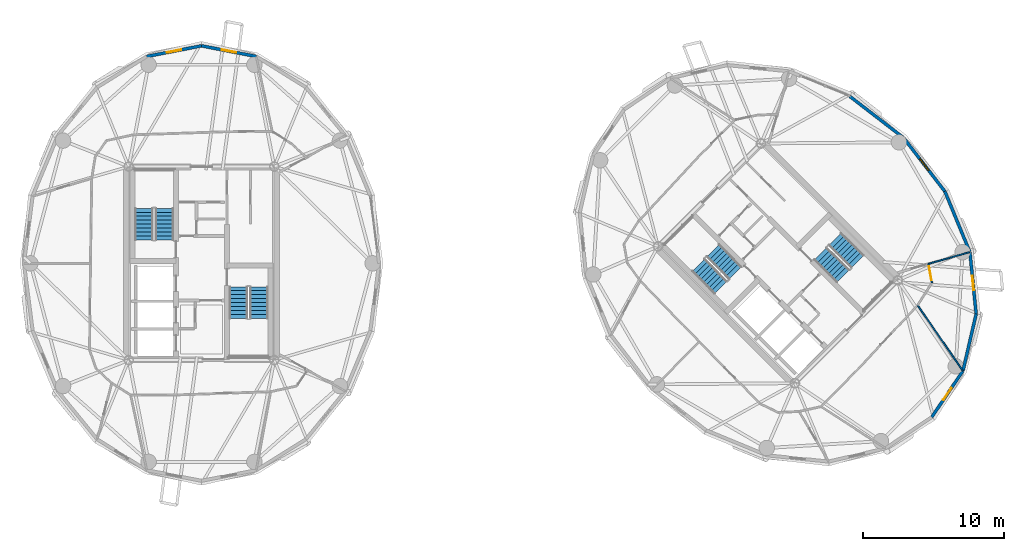
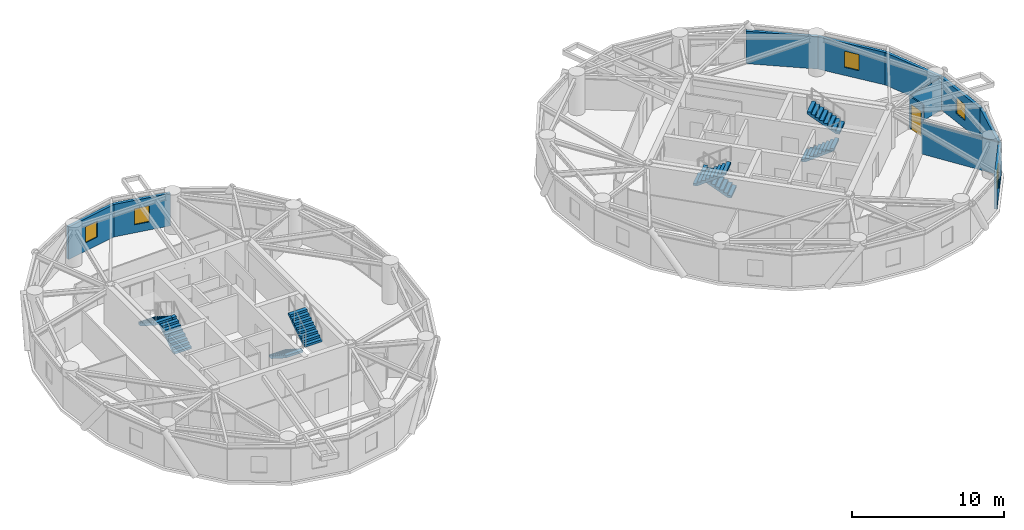
# One storey, part 13 of 15: 11 walls, 8 stair flights, 5 windows, 1 door, 6 openings, 4 elements without a shape of their own.
"""IFC4 building model written with IfcOpenShell, lengths in metres."""

from ifc_helpers import new_model, si_unit, direction, frame, frame_2d, origin, place, context, subcontext, project, spatial, polyline, rectangle, outline, extrude, source, transform, mapped, material, layer, layer_set, type_object, element, fill, aggregate, save


model = new_model("IFC4")

# Units and contexts
model_context = context("Model", 3, precision=1e-05, world=origin(), true_north=direction((0.0, 1.0)))
body_context = subcontext(model_context, "Body", "Model", "MODEL_VIEW")
ifc_project = project(units=[si_unit("LENGTHUNIT", "METRE"), si_unit("AREAUNIT", "SQUARE_METRE"), si_unit("VOLUMEUNIT", "CUBIC_METRE"), si_unit("PLANEANGLEUNIT", "RADIAN"), si_unit("MASSUNIT", "GRAM", prefix="KILO")], contexts=[model_context])

# Site, building, storey
site_placement = place(None, origin())
site = spatial("IfcSite", under=ifc_project, at=site_placement, CompositionType="ELEMENT")
building_placement = place(site_placement, origin())
building = spatial("IfcBuilding", under=site, at=building_placement, Name="Cununo Teusaquillo Station Towers", CompositionType="ELEMENT")
storey_placement = place(building_placement, frame((0.0, 0.0, 229.25)))
storey = spatial("IfcBuildingStorey", under=building, at=storey_placement, Name="L73", CompositionType="ELEMENT", Elevation=229.25)

# Wall, opening, window
ifc_material_1 = material(Name="Precast concrete C40/50", Category="concrete")
ifc_layer_1 = layer(ifc_material_1, 0.219970703125)
ifc_layer_set_1 = layer_set([ifc_layer_1], Name="Precast concrete C40/50")
wall_type_1 = type_object("IfcWallType", Name="WL-EXT-220", PredefinedType="SOLIDWALL", material=ifc_layer_set_1)
wall_1_placement = place(storey_placement, frame((16.5, 39.969970703125, 0.0), z_axis=(0.0, 0.0, 1.0), x_axis=(0.981700307484, -0.190432419211, 0.0)))
wall_1 = element("IfcWall", 1, at=wall_1_placement, inside=storey, type_object=wall_type_1, Name="L73 Tower A Exterior Facade Wall C04", PredefinedType="SOLIDWALL", context=body_context, shape_type="SweptSolid", body=[
    extrude(rectangle(XDim=3.9755859375, YDim=0.219970703125, at=frame_2d((1.98779296875, 0.0))), origin(), (0.0, 0.0, 1.0), 2.612060546875),
])
shared_shape_1 = source(origin(), body_context, "Body", "SweptSolid", [
    extrude(rectangle(XDim=1.050048828125, YDim=1.300048828125, at=frame_2d((0.52490234375, 0.64990234375))), frame((0.0, 0.119873046875, 0.0), z_axis=(0.0, -1.0, 0.0), x_axis=(1.0, 0.0, 0.0)), (0.0, 0.0, 1.0), 0.239990234375),
])
opening_1_placement = place(wall_1_placement, frame((1.462890625, 0.0, 0.64990234375)))
opening_1 = element("IfcOpeningElement", 2, at=opening_1_placement, cuts=wall_1, Name="Opening WN-04", PredefinedType="OPENING", context=body_context, shape_type="MappedRepresentation", body=[
    mapped(shared_shape_1, transform((0.0, 0.0, 0.0), x_axis=(1.0, 0.0, 0.0), y_axis=(0.0, 1.0, 0.0), z_axis=(0.0, 0.0, 1.0), scale=1.0)),
])
ifc_material_2 = material(Name="Operable acoustic tinted low-E double glazing", Category="glass")
window_type = type_object("IfcWindowType", Name="WIN-BAL-1050", PartitioningType="SINGLE_PANEL", PredefinedType="WINDOW", material=ifc_material_2)
shared_shape_2 = source(origin(), body_context, "Body", "SweptSolid", [
    extrude(rectangle(XDim=1.050048828125, YDim=1.300048828125, at=frame_2d((0.52490234375, 0.64990234375))), frame((0.0, 0.030029296875, 0.0), z_axis=(0.0, -1.0, 0.0), x_axis=(1.0, 0.0, 0.0)), (0.0, 0.0, 1.0), 0.06005859375),
])
window_1_placement = place(opening_1_placement, origin())
window_1 = element("IfcWindow", 3, at=window_1_placement, inside=storey, type_object=window_type, Name="L73 Tower A Facade Window C04", OverallHeight=1.300048828125, OverallWidth=1.050048828125, PartitioningType="SINGLE_PANEL", PredefinedType="WINDOW", context=body_context, shape_type="MappedRepresentation", body=[
    mapped(shared_shape_2, transform((0.0, 0.0, 0.0), x_axis=(1.0, 0.0, 0.0), y_axis=(0.0, 1.0, 0.0), z_axis=(0.0, 0.0, 1.0), scale=1.0)),
])
fill(opening_1, window_1)

wall_2_placement = place(storey_placement, frame((12.59716796875, 39.212890625, 0.0), z_axis=(0.0, 0.0, 1.0), x_axis=(0.981700307484, 0.190432419211, 0.0)))
wall_2 = element("IfcWall", 4, at=wall_2_placement, inside=storey, type_object=wall_type_1, Name="L73 Tower A Exterior Facade Wall C05", PredefinedType="SOLIDWALL", context=body_context, shape_type="SweptSolid", body=[
    extrude(rectangle(XDim=3.9755859375, YDim=0.219970703125, at=frame_2d((1.98779296875, 0.0))), origin(), (0.0, 0.0, 1.0), 2.612060546875),
])
opening_2_placement = place(wall_2_placement, frame((1.462890625, 0.0, 0.64990234375)))
opening_2 = element("IfcOpeningElement", 5, at=opening_2_placement, cuts=wall_2, Name="Opening WN-04", PredefinedType="OPENING", context=body_context, shape_type="MappedRepresentation", body=[
    mapped(shared_shape_1, transform((0.0, 0.0, 0.0), x_axis=(1.0, 0.0, 0.0), y_axis=(0.0, 1.0, 0.0), z_axis=(0.0, 0.0, 1.0), scale=1.0)),
])
window_2_placement = place(opening_2_placement, origin())
window_2 = element("IfcWindow", 6, at=window_2_placement, inside=storey, type_object=window_type, Name="L73 Tower A Facade Window C05", OverallHeight=1.300048828125, OverallWidth=1.050048828125, PartitioningType="SINGLE_PANEL", PredefinedType="WINDOW", context=body_context, shape_type="MappedRepresentation", body=[
    mapped(shared_shape_2, transform((0.0, 0.0, 0.0), x_axis=(1.0, 0.0, 0.0), y_axis=(0.0, 1.0, 0.0), z_axis=(0.0, 0.0, 1.0), scale=1.0)),
])
fill(opening_2, window_2)

# Wall
wall_3_placement = place(storey_placement, frame((62.61328125, 36.373779296875, 0.0), z_axis=(0.0, 0.0, 1.0), x_axis=(0.791998462147, -0.610523083886, 0.0)))
element("IfcWall", 7, at=wall_3_placement, inside=storey, type_object=wall_type_1, Name="L73 Tower B Exterior Facade Wall C00", PredefinedType="SOLIDWALL", context=body_context, shape_type="SweptSolid", body=[
    extrude(rectangle(XDim=4.8203125, YDim=0.219970703125, at=frame_2d((2.41015625, 0.0))), origin(), (0.0, 0.0, 1.0), 2.612060546875),
])

# Wall, opening, window
wall_4_placement = place(storey_placement, frame((70.663330078125, 16.856201171875, 0.0), z_axis=(0.0, 0.0, 1.0), x_axis=(-0.559495003079, -0.828833723692, 0.0)))
wall_4 = element("IfcWall", 8, at=wall_4_placement, inside=storey, type_object=wall_type_1, Name="L73 Tower B Exterior Facade Wall C15", PredefinedType="SOLIDWALL", context=body_context, shape_type="SweptSolid", body=[
    extrude(rectangle(XDim=3.9755859375, YDim=0.219970703125, at=frame_2d((1.98779296875, 0.0))), origin(), (0.0, 0.0, 1.0), 2.612060546875),
])
opening_3_placement = place(wall_4_placement, frame((1.462890625, 0.0, 0.64990234375)))
opening_3 = element("IfcOpeningElement", 9, at=opening_3_placement, cuts=wall_4, Name="Opening WN-04", PredefinedType="OPENING", context=body_context, shape_type="MappedRepresentation", body=[
    mapped(shared_shape_1, transform((0.0, 0.0, 0.0), x_axis=(1.0, 0.0, 0.0), y_axis=(0.0, 1.0, 0.0), z_axis=(0.0, 0.0, 1.0), scale=1.0)),
])
window_3_placement = place(opening_3_placement, origin())
window_3 = element("IfcWindow", 10, at=window_3_placement, inside=storey, type_object=window_type, Name="L73 Tower B Facade Window C15", OverallHeight=1.300048828125, OverallWidth=1.050048828125, PartitioningType="SINGLE_PANEL", PredefinedType="WINDOW", context=body_context, shape_type="MappedRepresentation", body=[
    mapped(shared_shape_2, transform((0.0, 0.0, 0.0), x_axis=(1.0, 0.0, 0.0), y_axis=(0.0, 1.0, 0.0), z_axis=(0.0, 0.0, 1.0), scale=1.0)),
])
fill(opening_3, window_3)

# Wall
wall_5_placement = place(storey_placement, frame((71.59912109375, 20.899658203125, 0.0), z_axis=(0.0, 0.0, 1.0), x_axis=(-0.225473813158, -0.974249228678, 0.0)))
element("IfcWall", 11, at=wall_5_placement, inside=storey, type_object=wall_type_1, Name="L73 Tower B Exterior Facade Wall C16", PredefinedType="SOLIDWALL", context=body_context, shape_type="SweptSolid", body=[
    extrude(rectangle(XDim=4.150390625, YDim=0.219970703125, at=frame_2d((2.0751953125, 0.0))), origin(), (0.0, 0.0, 1.0), 2.612060546875),
])

# Wall, opening, window
wall_6_placement = place(storey_placement, frame((71.15478515625, 25.29541015625, 0.0), z_axis=(0.0, 0.0, 1.0), x_axis=(0.100570534541, -0.994929930991, 0.0)))
wall_6 = element("IfcWall", 12, at=wall_6_placement, inside=storey, type_object=wall_type_1, Name="L73 Tower B Exterior Facade Wall C17", PredefinedType="SOLIDWALL", context=body_context, shape_type="SweptSolid", body=[
    extrude(rectangle(XDim=4.418212890625, YDim=0.219970703125, at=frame_2d((2.208984375, 0.0))), origin(), (0.0, 0.0, 1.0), 2.612060546875),
])
opening_4_placement = place(wall_6_placement, frame((1.68408203125, 0.0, 0.64990234375)))
opening_4 = element("IfcOpeningElement", 13, at=opening_4_placement, cuts=wall_6, Name="Opening WN-04", PredefinedType="OPENING", context=body_context, shape_type="MappedRepresentation", body=[
    mapped(shared_shape_1, transform((0.0, 0.0, 0.0), x_axis=(1.0, 0.0, 0.0), y_axis=(0.0, 1.0, 0.0), z_axis=(0.0, 0.0, 1.0), scale=1.0)),
])
window_4_placement = place(opening_4_placement, origin())
window_4 = element("IfcWindow", 14, at=window_4_placement, inside=storey, type_object=window_type, Name="L73 Tower B Facade Window C17", OverallHeight=1.300048828125, OverallWidth=1.050048828125, PartitioningType="SINGLE_PANEL", PredefinedType="WINDOW", context=body_context, shape_type="MappedRepresentation", body=[
    mapped(shared_shape_2, transform((0.0, 0.0, 0.0), x_axis=(1.0, 0.0, 0.0), y_axis=(0.0, 1.0, 0.0), z_axis=(0.0, 0.0, 1.0), scale=1.0)),
])
fill(opening_4, window_4)

# Wall
wall_7_placement = place(storey_placement, frame((69.373779296875, 29.61328125, 0.0), z_axis=(0.0, 0.0, 1.0), x_axis=(0.381309704956, -0.924447353237, 0.0)))
element("IfcWall", 15, at=wall_7_placement, inside=storey, type_object=wall_type_1, Name="L73 Tower B Exterior Facade Wall C18", PredefinedType="SOLIDWALL", context=body_context, shape_type="SweptSolid", body=[
    extrude(rectangle(XDim=4.670654296875, YDim=0.219970703125, at=frame_2d((2.33544921875, 0.0))), origin(), (0.0, 0.0, 1.0), 2.612060546875),
])

# Wall, opening, window
wall_8_placement = place(storey_placement, frame((66.430908203125, 33.430908203125, 0.0), z_axis=(0.0, 0.0, 1.0), x_axis=(0.610523083886, -0.791998462147, 0.0)))
wall_8 = element("IfcWall", 16, at=wall_8_placement, inside=storey, type_object=wall_type_1, Name="L73 Tower B Exterior Facade Wall C19", PredefinedType="SOLIDWALL", context=body_context, shape_type="SweptSolid", body=[
    extrude(rectangle(XDim=4.8203125, YDim=0.219970703125, at=frame_2d((2.41015625, 0.0))), origin(), (0.0, 0.0, 1.0), 2.612060546875),
])
opening_5_placement = place(wall_8_placement, frame((1.885009765625, 0.0, 0.64990234375)))
opening_5 = element("IfcOpeningElement", 17, at=opening_5_placement, cuts=wall_8, Name="Opening WN-04", PredefinedType="OPENING", context=body_context, shape_type="MappedRepresentation", body=[
    mapped(shared_shape_1, transform((0.0, 0.0, 0.0), x_axis=(1.0, 0.0, 0.0), y_axis=(0.0, 1.0, 0.0), z_axis=(0.0, 0.0, 1.0), scale=1.0)),
])
window_5_placement = place(opening_5_placement, origin())
window_5 = element("IfcWindow", 18, at=window_5_placement, inside=storey, type_object=window_type, Name="L73 Tower B Facade Window C19", OverallHeight=1.300048828125, OverallWidth=1.050048828125, PartitioningType="SINGLE_PANEL", PredefinedType="WINDOW", context=body_context, shape_type="MappedRepresentation", body=[
    mapped(shared_shape_2, transform((0.0, 0.0, 0.0), x_axis=(1.0, 0.0, 0.0), y_axis=(0.0, 1.0, 0.0), z_axis=(0.0, 0.0, 1.0), scale=1.0)),
])
fill(opening_5, window_5)

# Wall, opening, door
ifc_material_3 = material(Name="Fire-rated gypsum plasterboard partition assembly", Category="gypsum")
ifc_layer_2 = layer(ifc_material_3, 0.10009765625)
ifc_layer_set_2 = layer_set([ifc_layer_2], Name="Fire-rated gypsum plasterboard partition assembly")
wall_type_2 = type_object("IfcWallType", Name="WL-PART-100", PredefinedType="MOVABLE", material=ifc_layer_set_2)
wall_9_placement = place(storey_placement, frame((68.45556640625, 23.109619140625, 0.0), z_axis=(0.0, 0.0, 1.0), x_axis=(-0.1772522795, 0.984165448191, 0.0)))
wall_9 = element("IfcWall", 19, at=wall_9_placement, inside=storey, type_object=wall_type_2, Name="L73 Tower B Corridor Ring Wall C17", PredefinedType="MOVABLE", context=body_context, shape_type="SweptSolid", body=[
    extrude(rectangle(XDim=1.381591796875, YDim=0.10009765625, at=frame_2d((0.69091796875, 0.0))), origin(), (0.0, 0.0, 1.0), 2.612060546875),
])
shared_shape_3 = source(origin(), body_context, "Body", "SweptSolid", [
    extrude(rectangle(XDim=1.0, YDim=2.014892578125, at=frame_2d((0.5, 1.00732421875))), frame((0.0, 0.06005859375, 0.0), z_axis=(0.0, -1.0, 0.0), x_axis=(1.0, 0.0, 0.0)), (0.0, 0.0, 1.0), 0.1201171875),
])
opening_6_placement = place(wall_9_placement, frame((0.19091796875, 0.0, 0.0)))
opening_6 = element("IfcOpeningElement", 20, at=opening_6_placement, cuts=wall_9, Name="Opening D-AC1", PredefinedType="OPENING", context=body_context, shape_type="MappedRepresentation", body=[
    mapped(shared_shape_3, transform((0.0, 0.0, 0.0), x_axis=(1.0, 0.0, 0.0), y_axis=(0.0, 1.0, 0.0), z_axis=(0.0, 0.0, 1.0), scale=1.0)),
])
ifc_material_4 = material(Name="Acoustic solid-core hardwood leaf assembly", Category="wood")
door_type = type_object("IfcDoorType", Name="DR-ACC-1000", OperationType="NOTDEFINED", PredefinedType="DOOR", material=ifc_material_4)
shared_shape_4 = source(origin(), body_context, "Body", "SweptSolid", [
    extrude(rectangle(XDim=1.0, YDim=2.014892578125, at=frame_2d((0.5, 1.00732421875))), frame((0.0, 0.02490234375, 0.0), z_axis=(0.0, -1.0, 0.0), x_axis=(1.0, 0.0, 0.0)), (0.0, 0.0, 1.0), 0.050048828125),
])
door_placement = place(opening_6_placement, origin())
door = element("IfcDoor", 21, at=door_placement, inside=storey, type_object=door_type, Name="L73 Tower B Public Accessible Restroom WC Entrance Door", OperationType="SINGLE_SWING_LEFT", OverallHeight=2.014892578125, OverallWidth=1.0, PredefinedType="DOOR", context=body_context, shape_type="MappedRepresentation", body=[
    mapped(shared_shape_4, transform((0.0, 0.0, 0.0), x_axis=(1.0, 0.0, 0.0), y_axis=(0.0, 1.0, 0.0), z_axis=(0.0, 0.0, 1.0), scale=1.0)),
])
fill(opening_6, door)

# Walls
wall_10_placement = place(storey_placement, frame((67.4345703125, 21.521484375, 0.0), z_axis=(0.0, 0.0, 1.0), x_axis=(0.567700677576, -0.823235045828, 0.0)))
element("IfcWall", 22, at=wall_10_placement, inside=storey, type_object=wall_type_2, Name="L73 Tower B Radial Suite Partition R05", PredefinedType="MOVABLE", context=body_context, shape_type="SweptSolid", body=[
    extrude(rectangle(XDim=5.656005859375, YDim=0.10009765625, at=frame_2d((2.828125, 0.0))), origin(), (0.0, 0.0, 1.0), 2.612060546875),
])
wall_11_placement = place(storey_placement, frame((68.210693359375, 24.46923828125, 0.0), z_axis=(0.0, 0.0, 1.0), x_axis=(0.962605107736, 0.270908483735, 0.0)))
element("IfcWall", 23, at=wall_11_placement, inside=storey, type_object=wall_type_2, Name="L73 Tower B Radial Suite Partition R06", PredefinedType="MOVABLE", context=body_context, shape_type="SweptSolid", body=[
    extrude(rectangle(XDim=3.037841796875, YDim=0.10009765625, at=frame_2d((1.51904296875, 0.0))), origin(), (0.0, 0.0, 1.0), 2.612060546875),
])

# Stair, stair flights
ifc_material_5 = material(Name="Concrete C50/60", Category="concrete")
stair_type = type_object("IfcStairType", Name="ST-TWR-1300", PredefinedType="HALF_TURN_STAIR", material=ifc_material_5)
stair_1_placement = place(storey_placement, origin())
stair_1 = element("IfcStair", 24, at=stair_1_placement, inside=storey, type_object=stair_type, Name="L73 Tower A Protected Core Exit Stair 1", PredefinedType="HALF_TURN_STAIR")
ifc_material_6 = material(Name="Concrete C50/60", Category="concrete")
stair_flight_type = type_object("IfcStairFlightType", Name="SFL-TWR-1300", PredefinedType="STRAIGHT", material=ifc_material_6)
stair_flight_1_placement = place(storey_placement, frame((13.8701171875, 26.169921875, 0.0), z_axis=(0.0, 0.0, 1.0), x_axis=(0.0, 1.0, 0.0)))
stair_flight_1 = element("IfcStairFlight", 25, at=stair_flight_1_placement, type_object=stair_flight_type, Name="ST-T1-1 flight 1", NumberOfRisers=9, NumberOfTreads=8, PredefinedType="STRAIGHT", RiserHeight=0.177777778, TreadLength=0.28, context=body_context, shape_type="SweptSolid", body=[
    extrude(outline(polyline([(0.0, 0.0), (0.0, 0.177734375), (0.280029296875, 0.177734375), (0.280029296875, 0.35546875), (0.56005859375, 0.35546875), (0.56005859375, 0.533447265625), (0.840087890625, 0.533447265625), (0.840087890625, 0.711181640625), (1.1201171875, 0.711181640625), (1.1201171875, 0.888916015625), (1.39990234375, 0.888916015625), (1.39990234375, 1.066650390625), (1.679931640625, 1.066650390625), (1.679931640625, 1.244384765625), (1.9599609375, 1.244384765625), (1.9599609375, 1.422119140625), (2.239990234375, 1.422119140625), (2.239990234375, 1.60009765625), (2.239990234375, 1.24462890625), (0.27978515625, 0.0), (0.0, 0.0)])), frame((0.0, 0.64990234375, 0.0), z_axis=(0.0, -1.0, 0.0), x_axis=(1.0, 0.0, 0.0)), (0.0, 0.0, 1.0), 1.300048828125),
])
stair_flight_2_placement = place(storey_placement, frame((12.409912109375, 28.409912109375, 1.60009765625), z_axis=(0.0, 0.0, 1.0), x_axis=(0.0, -1.0, 0.0)))
stair_flight_2 = element("IfcStairFlight", 26, at=stair_flight_2_placement, type_object=stair_flight_type, Name="ST-T1-1 flight 2", NumberOfRisers=9, NumberOfTreads=8, PredefinedType="STRAIGHT", RiserHeight=0.177777778, TreadLength=0.28, context=body_context, shape_type="SweptSolid", body=[
    extrude(outline(polyline([(0.0, 0.0), (0.0, 0.177734375), (0.280029296875, 0.177734375), (0.280029296875, 0.35546875), (0.56005859375, 0.35546875), (0.56005859375, 0.533447265625), (0.840087890625, 0.533447265625), (0.840087890625, 0.711181640625), (1.1201171875, 0.711181640625), (1.1201171875, 0.888916015625), (1.39990234375, 0.888916015625), (1.39990234375, 1.066650390625), (1.679931640625, 1.066650390625), (1.679931640625, 1.244384765625), (1.9599609375, 1.244384765625), (1.9599609375, 1.422119140625), (2.239990234375, 1.422119140625), (2.239990234375, 1.60009765625), (2.239990234375, 1.24462890625), (0.27978515625, 0.0), (0.0, 0.0)])), frame((0.0, 0.64990234375, 0.0), z_axis=(0.0, -1.0, 0.0), x_axis=(1.0, 0.0, 0.0)), (0.0, 0.0, 1.0), 1.300048828125),
])
aggregate(stair_1, [stair_flight_1, stair_flight_2])

stair_2_placement = place(storey_placement, origin())
stair_2 = element("IfcStair", 27, at=stair_2_placement, inside=storey, type_object=stair_type, Name="L73 Tower A Protected Core Exit Stair 2", PredefinedType="HALF_TURN_STAIR")
stair_flight_3_placement = place(storey_placement, frame((19.1298828125, 22.830078125, 0.0), z_axis=(0.0, 0.0, 1.0), x_axis=(0.0, -1.0, 0.0)))
stair_flight_3 = element("IfcStairFlight", 28, at=stair_flight_3_placement, type_object=stair_flight_type, Name="ST-T1-2 flight 1", NumberOfRisers=9, NumberOfTreads=8, PredefinedType="STRAIGHT", RiserHeight=0.177777778, TreadLength=0.28, context=body_context, shape_type="SweptSolid", body=[
    extrude(outline(polyline([(0.0, 0.0), (0.0, 0.177734375), (0.280029296875, 0.177734375), (0.280029296875, 0.35546875), (0.56005859375, 0.35546875), (0.56005859375, 0.533447265625), (0.840087890625, 0.533447265625), (0.840087890625, 0.711181640625), (1.1201171875, 0.711181640625), (1.1201171875, 0.888916015625), (1.39990234375, 0.888916015625), (1.39990234375, 1.066650390625), (1.679931640625, 1.066650390625), (1.679931640625, 1.244384765625), (1.9599609375, 1.244384765625), (1.9599609375, 1.422119140625), (2.239990234375, 1.422119140625), (2.239990234375, 1.60009765625), (2.239990234375, 1.24462890625), (0.27978515625, 0.0), (0.0, 0.0)])), frame((0.0, 0.64990234375, 0.0), z_axis=(0.0, -1.0, 0.0), x_axis=(1.0, 0.0, 0.0)), (0.0, 0.0, 1.0), 1.300048828125),
])
stair_flight_4_placement = place(storey_placement, frame((20.590087890625, 20.590087890625, 1.60009765625), z_axis=(0.0, 0.0, 1.0), x_axis=(0.0, 1.0, 0.0)))
stair_flight_4 = element("IfcStairFlight", 29, at=stair_flight_4_placement, type_object=stair_flight_type, Name="ST-T1-2 flight 2", NumberOfRisers=9, NumberOfTreads=8, PredefinedType="STRAIGHT", RiserHeight=0.177777778, TreadLength=0.28, context=body_context, shape_type="SweptSolid", body=[
    extrude(outline(polyline([(0.0, 0.0), (0.0, 0.177734375), (0.280029296875, 0.177734375), (0.280029296875, 0.35546875), (0.56005859375, 0.35546875), (0.56005859375, 0.533447265625), (0.840087890625, 0.533447265625), (0.840087890625, 0.711181640625), (1.1201171875, 0.711181640625), (1.1201171875, 0.888916015625), (1.39990234375, 0.888916015625), (1.39990234375, 1.066650390625), (1.679931640625, 1.066650390625), (1.679931640625, 1.244384765625), (1.9599609375, 1.244384765625), (1.9599609375, 1.422119140625), (2.239990234375, 1.422119140625), (2.239990234375, 1.60009765625), (2.239990234375, 1.24462890625), (0.27978515625, 0.0), (0.0, 0.0)])), frame((0.0, 0.64990234375, 0.0), z_axis=(0.0, -1.0, 0.0), x_axis=(1.0, 0.0, 0.0)), (0.0, 0.0, 1.0), 1.300048828125),
])
aggregate(stair_2, [stair_flight_3, stair_flight_4])

stair_3_placement = place(storey_placement, origin())
stair_3 = element("IfcStair", 30, at=stair_3_placement, inside=storey, type_object=stair_type, Name="L73 Tower B Protected Core Exit Stair 1", PredefinedType="HALF_TURN_STAIR")
stair_flight_5_placement = place(storey_placement, frame((54.45947265625, 23.8212890625, 0.0), z_axis=(0.0, 0.0, 1.0), x_axis=(-0.707106781187, 0.707106781187, 0.0)))
stair_flight_5 = element("IfcStairFlight", 31, at=stair_flight_5_placement, type_object=stair_flight_type, Name="ST-T2-1 flight 1", NumberOfRisers=9, NumberOfTreads=8, PredefinedType="STRAIGHT", RiserHeight=0.177777778, TreadLength=0.28, context=body_context, shape_type="SweptSolid", body=[
    extrude(outline(polyline([(0.0, 0.0), (0.0, 0.177734375), (0.280029296875, 0.177734375), (0.280029296875, 0.35546875), (0.56005859375, 0.35546875), (0.56005859375, 0.533447265625), (0.840087890625, 0.533447265625), (0.840087890625, 0.711181640625), (1.1201171875, 0.711181640625), (1.1201171875, 0.888916015625), (1.39990234375, 0.888916015625), (1.39990234375, 1.066650390625), (1.679931640625, 1.066650390625), (1.679931640625, 1.244384765625), (1.9599609375, 1.244384765625), (1.9599609375, 1.422119140625), (2.239990234375, 1.422119140625), (2.239990234375, 1.60009765625), (2.239990234375, 1.24462890625), (0.27978515625, 0.0), (0.0, 0.0)])), frame((0.0, 0.64990234375, 0.0), z_axis=(0.0, -1.0, 0.0), x_axis=(1.0, 0.0, 0.0)), (0.0, 0.0, 1.0), 1.300048828125),
])
stair_flight_6_placement = place(storey_placement, frame((51.84326171875, 24.372802734375, 1.60009765625), z_axis=(0.0, 0.0, 1.0), x_axis=(0.707106781187, -0.707106781187, 0.0)))
stair_flight_6 = element("IfcStairFlight", 32, at=stair_flight_6_placement, type_object=stair_flight_type, Name="ST-T2-1 flight 2", NumberOfRisers=9, NumberOfTreads=8, PredefinedType="STRAIGHT", RiserHeight=0.177777778, TreadLength=0.28, context=body_context, shape_type="SweptSolid", body=[
    extrude(outline(polyline([(0.0, 0.0), (0.0, 0.177734375), (0.280029296875, 0.177734375), (0.280029296875, 0.35546875), (0.56005859375, 0.35546875), (0.56005859375, 0.533447265625), (0.840087890625, 0.533447265625), (0.840087890625, 0.711181640625), (1.1201171875, 0.711181640625), (1.1201171875, 0.888916015625), (1.39990234375, 0.888916015625), (1.39990234375, 1.066650390625), (1.679931640625, 1.066650390625), (1.679931640625, 1.244384765625), (1.9599609375, 1.244384765625), (1.9599609375, 1.422119140625), (2.239990234375, 1.422119140625), (2.239990234375, 1.60009765625), (2.239990234375, 1.24462890625), (0.27978515625, 0.0), (0.0, 0.0)])), frame((0.0, 0.64990234375, 0.0), z_axis=(0.0, -1.0, 0.0), x_axis=(1.0, 0.0, 0.0)), (0.0, 0.0, 1.0), 1.300048828125),
])
aggregate(stair_3, [stair_flight_5, stair_flight_6])

stair_4_placement = place(storey_placement, origin())
stair_4 = element("IfcStair", 33, at=stair_4_placement, inside=storey, type_object=stair_type, Name="L73 Tower B Protected Core Exit Stair 2", PredefinedType="HALF_TURN_STAIR")
stair_flight_7_placement = place(storey_placement, frame((60.54052734375, 25.1787109375, 0.0), z_axis=(0.0, 0.0, 1.0), x_axis=(0.707106781187, -0.707106781187, 0.0)))
stair_flight_7 = element("IfcStairFlight", 34, at=stair_flight_7_placement, type_object=stair_flight_type, Name="ST-T2-2 flight 1", NumberOfRisers=9, NumberOfTreads=8, PredefinedType="STRAIGHT", RiserHeight=0.177777778, TreadLength=0.28, context=body_context, shape_type="SweptSolid", body=[
    extrude(outline(polyline([(0.0, 0.0), (0.0, 0.177734375), (0.280029296875, 0.177734375), (0.280029296875, 0.35546875), (0.56005859375, 0.35546875), (0.56005859375, 0.533447265625), (0.840087890625, 0.533447265625), (0.840087890625, 0.711181640625), (1.1201171875, 0.711181640625), (1.1201171875, 0.888916015625), (1.39990234375, 0.888916015625), (1.39990234375, 1.066650390625), (1.679931640625, 1.066650390625), (1.679931640625, 1.244384765625), (1.9599609375, 1.244384765625), (1.9599609375, 1.422119140625), (2.239990234375, 1.422119140625), (2.239990234375, 1.60009765625), (2.239990234375, 1.24462890625), (0.27978515625, 0.0), (0.0, 0.0)])), frame((0.0, 0.64990234375, 0.0), z_axis=(0.0, -1.0, 0.0), x_axis=(1.0, 0.0, 0.0)), (0.0, 0.0, 1.0), 1.300048828125),
])
stair_flight_8_placement = place(storey_placement, frame((63.15673828125, 24.627197265625, 1.60009765625), z_axis=(0.0, 0.0, 1.0), x_axis=(-0.707106781187, 0.707106781187, 0.0)))
stair_flight_8 = element("IfcStairFlight", 35, at=stair_flight_8_placement, type_object=stair_flight_type, Name="ST-T2-2 flight 2", NumberOfRisers=9, NumberOfTreads=8, PredefinedType="STRAIGHT", RiserHeight=0.177777778, TreadLength=0.28, context=body_context, shape_type="SweptSolid", body=[
    extrude(outline(polyline([(0.0, 0.0), (0.0, 0.177734375), (0.280029296875, 0.177734375), (0.280029296875, 0.35546875), (0.56005859375, 0.35546875), (0.56005859375, 0.533447265625), (0.840087890625, 0.533447265625), (0.840087890625, 0.711181640625), (1.1201171875, 0.711181640625), (1.1201171875, 0.888916015625), (1.39990234375, 0.888916015625), (1.39990234375, 1.066650390625), (1.679931640625, 1.066650390625), (1.679931640625, 1.244384765625), (1.9599609375, 1.244384765625), (1.9599609375, 1.422119140625), (2.239990234375, 1.422119140625), (2.239990234375, 1.60009765625), (2.239990234375, 1.24462890625), (0.27978515625, 0.0), (0.0, 0.0)])), frame((0.0, 0.64990234375, 0.0), z_axis=(0.0, -1.0, 0.0), x_axis=(1.0, 0.0, 0.0)), (0.0, 0.0, 1.0), 1.300048828125),
])
aggregate(stair_4, [stair_flight_7, stair_flight_8])

save(model, "model.ifc")
